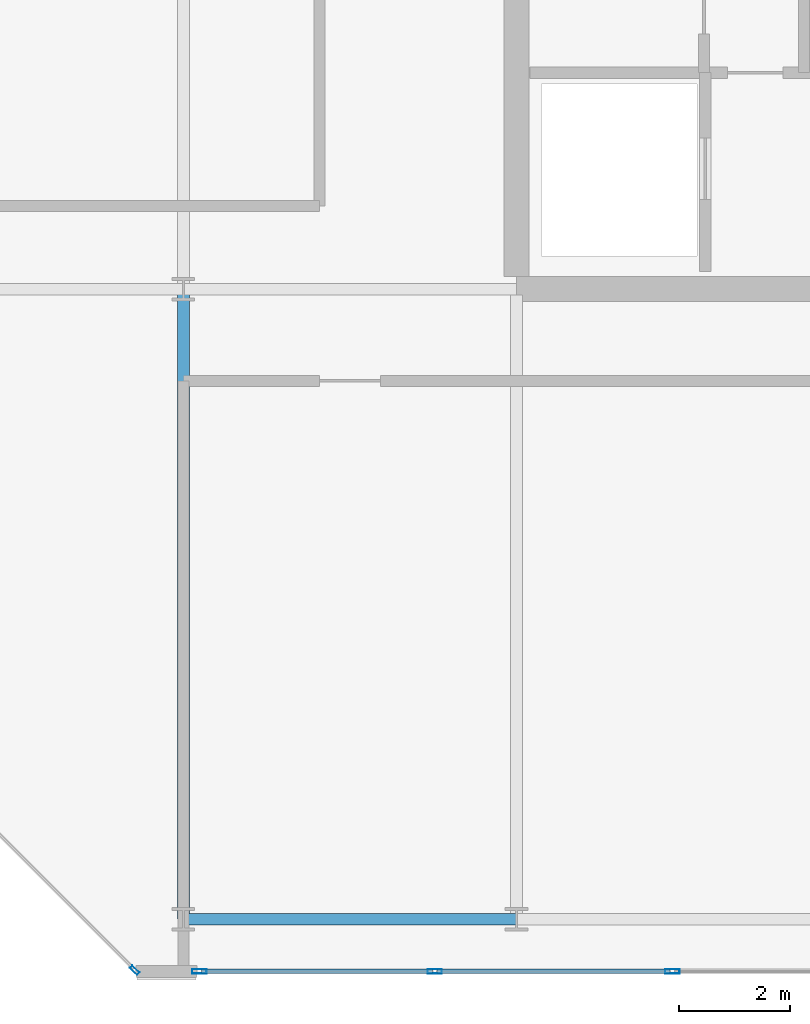
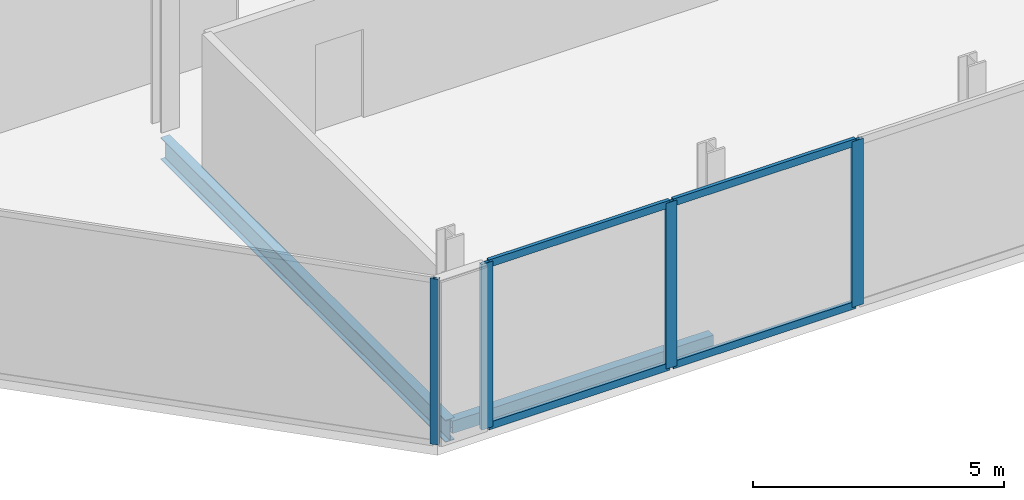
# One storey, part 2 of 16: 8 members, 2 beams, 2 elements without a shape of their own.
"""IFC4 building model written with IfcOpenShell, lengths in metres."""

from ifc_helpers import new_model, si_unit, direction, frame, origin, origin_2d, place, context, subcontext, project, spatial, hollow_rectangle, i_section, extrude, material, layer, layer_set, material_profile, profile_set, type_object, element, aggregate, save


model = new_model("IFC4")

# Units and contexts
model_context = context("Model", 3, precision=1e-05, world=origin(), true_north=direction((0.0, 1.0)))
body_context = subcontext(model_context, "Body", "Model", "MODEL_VIEW")
ifc_project = project(units=[si_unit("LENGTHUNIT", "METRE"), si_unit("AREAUNIT", "SQUARE_METRE"), si_unit("VOLUMEUNIT", "CUBIC_METRE"), si_unit("PLANEANGLEUNIT", "RADIAN"), si_unit("MASSUNIT", "GRAM", prefix="KILO")], contexts=[model_context])

# Site, building, storey
site_placement = place(None, origin())
site = spatial("IfcSite", under=ifc_project, at=site_placement, CompositionType="ELEMENT")
building_placement = place(site_placement, origin())
building = spatial("IfcBuilding", under=site, at=building_placement, Name="Tanjung Sevakor Pilgrim Tower", CompositionType="ELEMENT")
storey_placement = place(building_placement, frame((0.0, 0.0, 278.85009765625)))
storey = spatial("IfcBuildingStorey", under=building, at=storey_placement, Name="L78", CompositionType="ELEMENT", Elevation=278.85009765625)

# Beams
ifc_material_1 = material(Name="Steel S355J2", Category="steel")
ifc_material_profile_1 = material_profile(ifc_material_1, i_section(OverallWidth=0.210693359375, OverallDepth=0.53955078125, WebThickness=0.01171875, FlangeThickness=0.018798828125, FilletRadius=0.0126953125, at=origin_2d()))
ifc_profile_set_1 = profile_set([ifc_material_profile_1], Name="Steel S355J2")
beam_type_1 = type_object("IfcBeamType", Name="BM-B-G6-UB_533x210x109", PredefinedType="BEAM", material=ifc_profile_set_1)
beam_1_placement = place(storey_placement, frame((72.0, 13.25, -0.52978515625), z_axis=(0.0, 1.0, 0.0), x_axis=(-1.0, 0.0, 0.0)))
element("IfcBeam", 1, at=beam_1_placement, inside=storey, type_object=beam_type_1, Name="L78 EAST Girder 002", PredefinedType="BEAM", context=body_context, shape_type="SweptSolid", body=[
    extrude(i_section(OverallWidth=0.210693359375, OverallDepth=0.53955078125, WebThickness=0.01171875, FlangeThickness=0.018798828125, FilletRadius=0.0126953125, at=origin_2d()), origin(), (0.0, 0.0, 1.0), 11.35009765625),
])
ifc_material_2 = material(Name="Steel S355J2", Category="steel")
ifc_material_profile_2 = material_profile(ifc_material_2, hollow_rectangle(XDim=0.199951171875, YDim=0.300048828125, WallThickness=0.012451171875, at=origin_2d()))
ifc_profile_set_2 = profile_set([ifc_material_profile_2], Name="Steel S355J2")
beam_type_2 = type_object("IfcBeamType", Name="BM-B-SP3-RHS_300x200x12.5", PredefinedType="SPANDREL", material=ifc_profile_set_2)
beam_2_placement = place(storey_placement, frame((72.0, 13.25, -0.41015625), z_axis=(1.0, 0.0, 0.0), x_axis=(0.0, 1.0, 0.0)))
element("IfcBeam", 2, at=beam_2_placement, inside=storey, type_object=beam_type_2, Name="L78 Spandrel EAST S-01", PredefinedType="SPANDREL", context=body_context, shape_type="SweptSolid", body=[
    extrude(hollow_rectangle(XDim=0.199951171875, YDim=0.300048828125, WallThickness=0.012451171875, at=origin_2d()), origin(), (0.0, 0.0, 1.0), 6.0),
])

# Curtain wall, member
ifc_material_3 = material(Name="Aluminium 6063-T6 and Low-E Glass", Category="aluminium")
ifc_layer_1 = layer(ifc_material_3, 0.179931640625)
ifc_layer_set_1 = layer_set([ifc_layer_1], Name="CW-SYS-CHAM")
curtain_wall_type_1 = type_object("IfcCurtainWallType", Name="CW-SYS-CHAM", PredefinedType="NOTDEFINED", material=ifc_layer_set_1)
curtain_wall_1_placement = place(storey_placement, origin())
curtain_wall_1 = element("IfcCurtainWall", 3, at=curtain_wall_1_placement, inside=storey, type_object=curtain_wall_type_1, Name="L78 Curtain Wall CW-CHM-L78-EAST-7", PredefinedType="NOTDEFINED")
ifc_material_4 = material(Name="Aluminium 6063-T6", Category="aluminium")
ifc_material_profile_3 = material_profile(ifc_material_4, hollow_rectangle(XDim=0.06494140625, YDim=0.179931640625, WallThickness=0.00390625, at=origin_2d()))
ifc_profile_set_3 = profile_set([ifc_material_profile_3], Name="Aluminium 6063-T6")
member_type_1 = type_object("IfcMemberType", Name="TYPE-CWM-1", PredefinedType="MULLION", material=ifc_profile_set_3)
member_1_placement = place(storey_placement, frame((71.12255859375, 12.3330078125, 0.0), z_axis=(0.0, 0.0, 1.0), x_axis=(0.707106781187, 0.707106781187, 0.0)))
member_1 = element("IfcMember", 4, at=member_1_placement, type_object=member_type_1, Name="CW-CHM mullion 2", PredefinedType="MULLION", context=body_context, shape_type="SweptSolid", body=[
    extrude(hollow_rectangle(XDim=0.06494140625, YDim=0.179931640625, WallThickness=0.00390625, at=origin_2d()), origin(), (0.0, 0.0, 1.0), 4.02978515625),
])
aggregate(curtain_wall_1, [member_1])

# Curtain wall, members
ifc_material_5 = material(Name="Aluminium 6063-T6 and Low-E Glass", Category="aluminium")
ifc_layer_2 = layer(ifc_material_5, 0.219970703125)
ifc_layer_set_2 = layer_set([ifc_layer_2], Name="CW-SYS-CRNE")
curtain_wall_type_2 = type_object("IfcCurtainWallType", Name="CW-SYS-CRNE", PredefinedType="NOTDEFINED", material=ifc_layer_set_2)
curtain_wall_2_placement = place(storey_placement, origin())
curtain_wall_2 = element("IfcCurtainWall", 5, at=curtain_wall_2_placement, inside=storey, type_object=curtain_wall_type_2, Name="L78 Curtain Wall CW-CRN-L78-EAST-0-1", PredefinedType="NOTDEFINED")
ifc_material_6 = material(Name="Aluminium 6063-T6", Category="aluminium")
ifc_material_profile_4 = material_profile(ifc_material_6, hollow_rectangle(XDim=0.080078125, YDim=0.260009765625, WallThickness=0.0048828125, at=origin_2d()))
ifc_profile_set_4 = profile_set([ifc_material_profile_4], Name="Aluminium 6063-T6")
member_type_2 = type_object("IfcMemberType", Name="TYPE-CWM-3", PredefinedType="MULLION", material=ifc_profile_set_4)
member_2_placement = place(storey_placement, frame((72.28564453125, 12.31005859375, 0.0), z_axis=(0.0, 0.0, 1.0), x_axis=(0.0, 1.0, 0.0)))
member_2 = element("IfcMember", 6, at=member_2_placement, type_object=member_type_2, Name="CW-CRE mullion 1", PredefinedType="MULLION", context=body_context, shape_type="SweptSolid", body=[
    extrude(hollow_rectangle(XDim=0.080078125, YDim=0.260009765625, WallThickness=0.0048828125, at=origin_2d()), origin(), (0.0, 0.0, 1.0), 4.02978515625),
])
member_3_placement = place(storey_placement, frame((76.52734375, 12.31005859375, 0.0), z_axis=(0.0, 0.0, 1.0), x_axis=(0.0, 1.0, 0.0)))
member_3 = element("IfcMember", 7, at=member_3_placement, type_object=member_type_2, Name="CW-CRE mullion 2", PredefinedType="MULLION", context=body_context, shape_type="SweptSolid", body=[
    extrude(hollow_rectangle(XDim=0.080078125, YDim=0.260009765625, WallThickness=0.0048828125, at=origin_2d()), origin(), (0.0, 0.0, 1.0), 4.02978515625),
])
member_4_placement = place(storey_placement, frame((80.80908203125, 12.31005859375, 0.0), z_axis=(0.0, 0.0, 1.0), x_axis=(0.0, 1.0, 0.0)))
member_4 = element("IfcMember", 8, at=member_4_placement, type_object=member_type_2, Name="CW-CRE mullion 3", PredefinedType="MULLION", context=body_context, shape_type="SweptSolid", body=[
    extrude(hollow_rectangle(XDim=0.080078125, YDim=0.260009765625, WallThickness=0.0048828125, at=origin_2d()), origin(), (0.0, 0.0, 1.0), 4.02978515625),
])
ifc_material_7 = material(Name="Aluminium 6063-T6", Category="aluminium")
ifc_material_profile_5 = material_profile(ifc_material_7, hollow_rectangle(XDim=0.080078125, YDim=0.179931640625, WallThickness=0.0048828125, at=origin_2d()))
ifc_profile_set_5 = profile_set([ifc_material_profile_5], Name="Aluminium 6063-T6")
member_type_3 = type_object("IfcMemberType", Name="TYPE-CWT-3", PredefinedType="USERDEFINED", material=ifc_profile_set_5)
member_5_placement = place(storey_placement, frame((72.32568359375, 12.31005859375, 0.039794921875), z_axis=(1.0, 0.0, 0.0), x_axis=(0.0, 1.0, 0.0)))
member_5 = element("IfcMember", 9, at=member_5_placement, type_object=member_type_3, Name="CW-CRE transom 1.1", ObjectType="TRANSOM", PredefinedType="USERDEFINED", context=body_context, shape_type="SweptSolid", body=[
    extrude(hollow_rectangle(XDim=0.080078125, YDim=0.179931640625, WallThickness=0.0048828125, at=origin_2d()), origin(), (0.0, 0.0, 1.0), 4.16162109375),
])
member_6_placement = place(storey_placement, frame((72.32568359375, 12.31005859375, 3.989990234375), z_axis=(1.0, 0.0, 0.0), x_axis=(0.0, 1.0, 0.0)))
member_6 = element("IfcMember", 10, at=member_6_placement, type_object=member_type_3, Name="CW-CRE transom 1.2", ObjectType="TRANSOM", PredefinedType="USERDEFINED", context=body_context, shape_type="SweptSolid", body=[
    extrude(hollow_rectangle(XDim=0.080078125, YDim=0.179931640625, WallThickness=0.0048828125, at=origin_2d()), origin(), (0.0, 0.0, 1.0), 4.16162109375),
])
member_7_placement = place(storey_placement, frame((76.5673828125, 12.31005859375, 0.039794921875), z_axis=(1.0, 0.0, 0.0), x_axis=(0.0, 1.0, 0.0)))
member_7 = element("IfcMember", 11, at=member_7_placement, type_object=member_type_3, Name="CW-CRE transom 2.1", ObjectType="TRANSOM", PredefinedType="USERDEFINED", context=body_context, shape_type="SweptSolid", body=[
    extrude(hollow_rectangle(XDim=0.080078125, YDim=0.179931640625, WallThickness=0.0048828125, at=origin_2d()), origin(), (0.0, 0.0, 1.0), 4.20166015625),
])
member_8_placement = place(storey_placement, frame((76.5673828125, 12.31005859375, 3.989990234375), z_axis=(1.0, 0.0, 0.0), x_axis=(0.0, 1.0, 0.0)))
member_8 = element("IfcMember", 12, at=member_8_placement, type_object=member_type_3, Name="CW-CRE transom 2.2", ObjectType="TRANSOM", PredefinedType="USERDEFINED", context=body_context, shape_type="SweptSolid", body=[
    extrude(hollow_rectangle(XDim=0.080078125, YDim=0.179931640625, WallThickness=0.0048828125, at=origin_2d()), origin(), (0.0, 0.0, 1.0), 4.20166015625),
])
aggregate(curtain_wall_2, [member_2, member_3, member_4, member_5, member_6, member_7, member_8])

save(model, "model.ifc")
